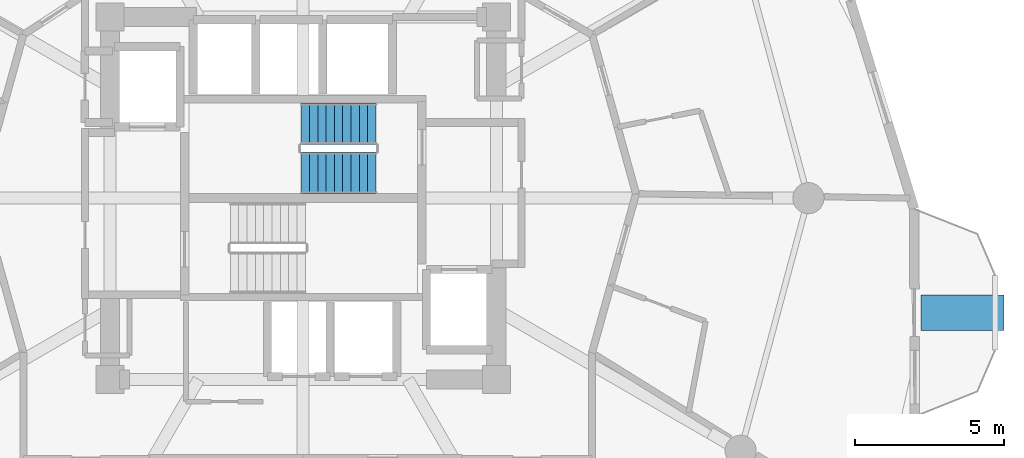
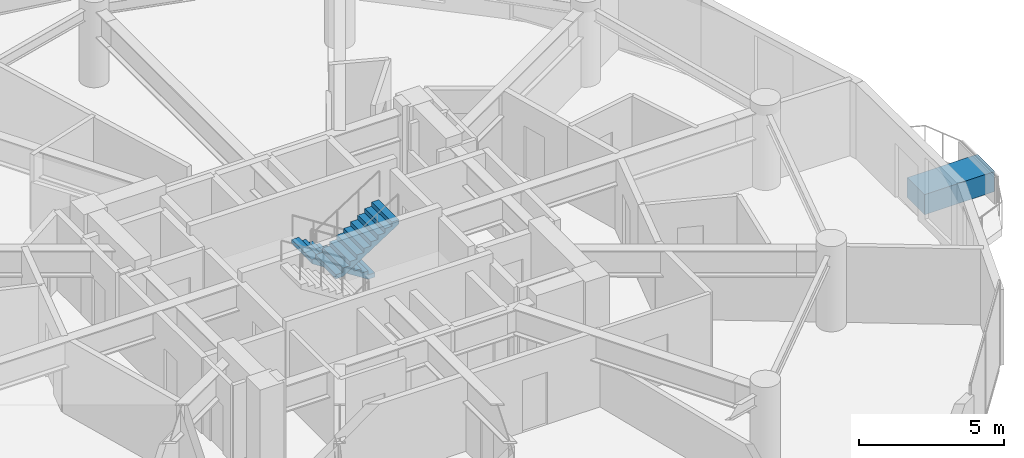
# One storey, part 20 of 22: 2 stair flights, 1 discrete accessory, 1 element without a shape of its own.
"""IFC4 building model written with IfcOpenShell, lengths in metres."""

from ifc_helpers import new_model, si_unit, direction, frame, origin, origin_2d, place, context, subcontext, project, spatial, polyline, rectangle, outline, extrude, material, type_object, element, aggregate, save


model = new_model("IFC4")

# Units and contexts
model_context = context("Model", 3, precision=1e-05, world=origin(), true_north=direction((0.0, 1.0)))
body_context = subcontext(model_context, "Body", "Model", "MODEL_VIEW")
ifc_project = project(units=[si_unit("LENGTHUNIT", "METRE"), si_unit("AREAUNIT", "SQUARE_METRE"), si_unit("VOLUMEUNIT", "CUBIC_METRE"), si_unit("PLANEANGLEUNIT", "RADIAN"), si_unit("MASSUNIT", "GRAM", prefix="KILO")], contexts=[model_context])

# Site, building, storey
site_placement = place(None, origin())
site = spatial("IfcSite", under=ifc_project, at=site_placement, CompositionType="ELEMENT")
building_placement = place(site_placement, origin())
building = spatial("IfcBuilding", under=site, at=building_placement, Name="Solvirekh Grand Hotel", CompositionType="ELEMENT")
storey_placement = place(building_placement, frame((0.0, 0.0, 160.199951171875)))
storey = spatial("IfcBuildingStorey", under=building, at=storey_placement, Name="L41", CompositionType="ELEMENT", Elevation=160.199951171875)

# Stair, stair flights
ifc_material_1 = material(Name="Concrete C40/50", Category="concrete")
stair_type = type_object("IfcStairType", Name="Stair_Core_1450", PredefinedType="HALF_TURN_STAIR", material=ifc_material_1)
stair_placement = place(storey_placement, origin())
stair = element("IfcStair", 1, at=stair_placement, inside=storey, type_object=stair_type, Name="L41 Enclosed exit stair ST-2", PredefinedType="HALF_TURN_STAIR")
stair_flight_type = type_object("IfcStairFlightType", Name="Flight_Core_1450", PredefinedType="STRAIGHT", material=ifc_material_1)
stair_flight_1_placement = place(storey_placement, frame((2.449951171875, 2.5, 0.0), z_axis=(0.0, 0.0, 1.0), x_axis=(-1.0, 0.0, 0.0)))
stair_flight_1 = element("IfcStairFlight", 2, at=stair_flight_1_placement, type_object=stair_flight_type, Name="ST-2 flight 1", NumberOfRisers=10, NumberOfTreads=9, PredefinedType="STRAIGHT", RiserHeight=0.18, TreadLength=0.28, context=body_context, shape_type="SweptSolid", body=[
    extrude(outline(polyline([(0.0, 0.0), (0.0, 0.179931640625), (0.280029296875, 0.179931640625), (0.280029296875, 0.360107421875), (0.56005859375, 0.360107421875), (0.56005859375, 0.5400390625), (0.840087890625, 0.5400390625), (0.840087890625, 0.719970703125), (1.1201171875, 0.719970703125), (1.1201171875, 0.89990234375), (1.39990234375, 0.89990234375), (1.39990234375, 1.080078125), (1.679931640625, 1.080078125), (1.679931640625, 1.260009765625), (1.9599609375, 1.260009765625), (1.9599609375, 1.43994140625), (2.239990234375, 1.43994140625), (2.239990234375, 1.6201171875), (2.52001953125, 1.6201171875), (2.52001953125, 1.800048828125), (2.52001953125, 1.44189453125), (0.277099609375, 0.0), (0.0, 0.0)])), frame((0.0, 0.699951171875, 0.0), z_axis=(0.0, -1.0, 0.0), x_axis=(1.0, 0.0, 0.0)), (0.0, 0.0, 1.0), 1.39990234375),
])
stair_flight_2_placement = place(storey_placement, frame((-0.070068359375, 0.85009765625, 1.800048828125), z_axis=(0.0, 0.0, 1.0), x_axis=(1.0, 0.0, 0.0)))
stair_flight_2 = element("IfcStairFlight", 3, at=stair_flight_2_placement, type_object=stair_flight_type, Name="ST-2 flight 2", NumberOfRisers=10, NumberOfTreads=9, PredefinedType="STRAIGHT", RiserHeight=0.18, TreadLength=0.28, context=body_context, shape_type="SweptSolid", body=[
    extrude(outline(polyline([(0.0, 0.0), (0.0, 0.179931640625), (0.280029296875, 0.179931640625), (0.280029296875, 0.360107421875), (0.56005859375, 0.360107421875), (0.56005859375, 0.5400390625), (0.840087890625, 0.5400390625), (0.840087890625, 0.719970703125), (1.1201171875, 0.719970703125), (1.1201171875, 0.89990234375), (1.39990234375, 0.89990234375), (1.39990234375, 1.080078125), (1.679931640625, 1.080078125), (1.679931640625, 1.260009765625), (1.9599609375, 1.260009765625), (1.9599609375, 1.43994140625), (2.239990234375, 1.43994140625), (2.239990234375, 1.6201171875), (2.52001953125, 1.6201171875), (2.52001953125, 1.800048828125), (2.52001953125, 1.44189453125), (0.277099609375, 0.0), (0.0, 0.0)])), frame((0.0, 0.699951171875, 0.0), z_axis=(0.0, -1.0, 0.0), x_axis=(1.0, 0.0, 0.0)), (0.0, 0.0, 1.0), 1.39990234375),
])
aggregate(stair, [stair_flight_1, stair_flight_2])

# Discrete accessory
ifc_material_2 = material(Name="Precast concrete C45/55", Category="concrete")
discrete_accessory_type = type_object("IfcDiscreteAccessoryType", Name="Acc_PlanterBox", PredefinedType="USERDEFINED", material=ifc_material_2)
discrete_accessory_placement = place(storey_placement, frame((22.18408203125, -3.85302734375, 0.0), z_axis=(0.0, 0.0, 1.0), x_axis=(0.0, 1.0, 0.0)))
element("IfcDiscreteAccessory", 4, at=discrete_accessory_placement, inside=storey, type_object=discrete_accessory_type, Name="L41 horn sky-garden tree planter", ObjectType="PLANTER", PredefinedType="USERDEFINED", context=body_context, shape_type="SweptSolid", body=[
    extrude(rectangle(XDim=1.199951171875, YDim=2.800048828125, at=origin_2d()), origin(), (0.0, 0.0, 1.0), 0.85009765625),
])

save(model, "model.ifc")
